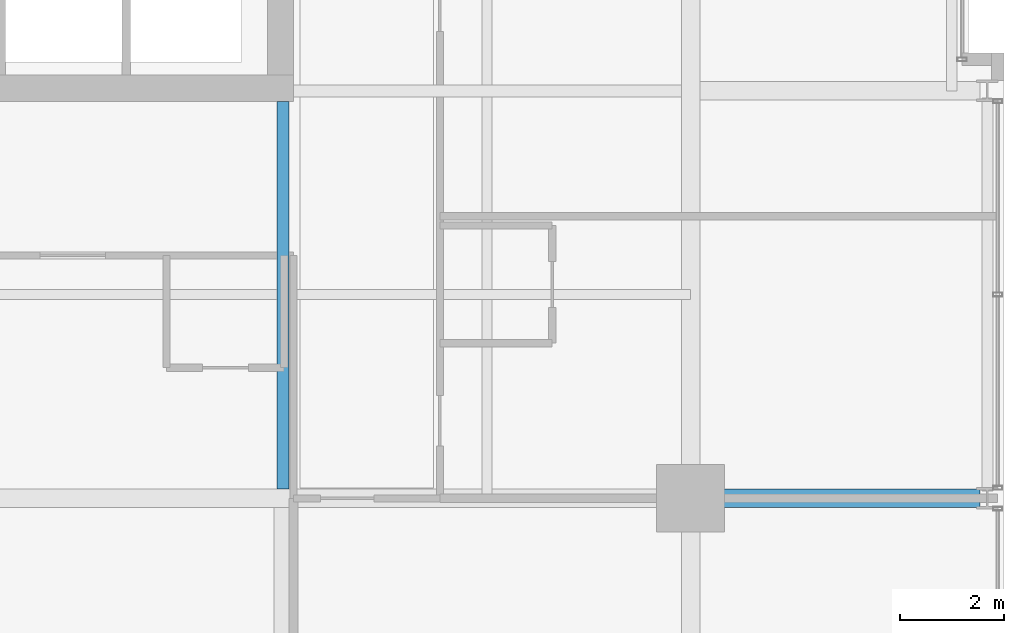
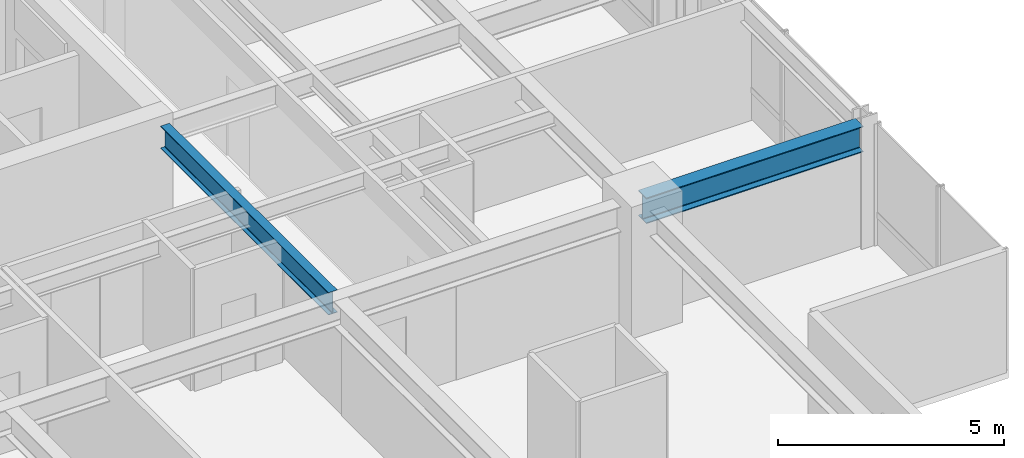
# One storey, part 12 of 34: 2 beams.
"""IFC4 building model written with IfcOpenShell, lengths in metres."""

from ifc_helpers import new_model, si_unit, direction, frame, origin, origin_2d, place, context, subcontext, project, spatial, i_section, extrude, material, material_profile, profile_set, type_object, element, save


model = new_model("IFC4")

# Units and contexts
model_context = context("Model", 3, precision=1e-05, world=origin(), true_north=direction((0.0, 1.0)))
body_context = subcontext(model_context, "Body", "Model", "MODEL_VIEW")
ifc_project = project(units=[si_unit("LENGTHUNIT", "METRE"), si_unit("AREAUNIT", "SQUARE_METRE"), si_unit("VOLUMEUNIT", "CUBIC_METRE"), si_unit("PLANEANGLEUNIT", "RADIAN"), si_unit("MASSUNIT", "GRAM", prefix="KILO")], contexts=[model_context])

# Site, building, storey
site_placement = place(None, origin())
site = spatial("IfcSite", under=ifc_project, at=site_placement, CompositionType="ELEMENT")
building_placement = place(site_placement, origin())
building = spatial("IfcBuilding", under=site, at=building_placement, Name="Drelvath Grand Hotel", CompositionType="ELEMENT")
storey_placement = place(building_placement, frame((0.0, 0.0, 175.25)))
storey = spatial("IfcBuildingStorey", under=building, at=storey_placement, Name="L45", CompositionType="ELEMENT", Elevation=175.25)

# Beams
ifc_material = material(Name="Steel ASTM A992 Gr 50", Category="steel")
ifc_material_profile_1 = material_profile(ifc_material, i_section(OverallWidth=0.228271484375, OverallDepth=0.607666015625, WebThickness=0.01123046875, FlangeThickness=0.017333984375, FilletRadius=0.02001953125, at=origin_2d()), Name="W24X76")
ifc_profile_set_1 = profile_set([ifc_material_profile_1], Name="Steel ASTM A992 Gr 50")
beam_type_1 = type_object("IfcBeamType", Name="Primary Floor Girder W24X76", PredefinedType="BEAM", material=ifc_profile_set_1)
beam_1_placement = place(storey_placement, frame((8.39990234375, 10.977294921875, 2.986083984375), z_axis=(0.0, 1.0, 0.0), x_axis=(-1.0, 0.0, 0.0)))
element("IfcBeam", 1, at=beam_1_placement, inside=storey, type_object=beam_type_1, Name="L45 South Core Tie 6", PredefinedType="BEAM", context=body_context, shape_type="SweptSolid", body=[
    extrude(i_section(OverallWidth=0.228271484375, OverallDepth=0.607666015625, WebThickness=0.01123046875, FlangeThickness=0.017333984375, FilletRadius=0.02001953125, at=origin_2d()), origin(), (0.0, 0.0, 1.0), 7.422607421875),
])
ifc_material_profile_2 = material_profile(ifc_material, i_section(OverallWidth=0.354736328125, OverallDepth=0.695556640625, WebThickness=0.015380859375, FlangeThickness=0.025146484375, FilletRadius=0.02392578125, at=origin_2d()), Name="W27X146")
ifc_profile_set_2 = profile_set([ifc_material_profile_2], Name="Steel ASTM A992 Gr 50")
beam_type_2 = type_object("IfcBeamType", Name="Primary Floor Girder W27X146", PredefinedType="BEAM", material=ifc_profile_set_2)
beam_2_placement = place(storey_placement, frame((16.199951171875, 10.800048828125, 2.9423828125), z_axis=(1.0, 0.0, 0.0), x_axis=(0.0, 1.0, 0.0)))
element("IfcBeam", 2, at=beam_2_placement, inside=storey, type_object=beam_type_2, Name="L45 East Grid Girder C", PredefinedType="BEAM", context=body_context, shape_type="SweptSolid", body=[
    extrude(i_section(OverallWidth=0.354736328125, OverallDepth=0.695556640625, WebThickness=0.015380859375, FlangeThickness=0.025146484375, FilletRadius=0.02392578125, at=origin_2d()), origin(), (0.0, 0.0, 1.0), 5.5400390625),
])

save(model, "model.ifc")
